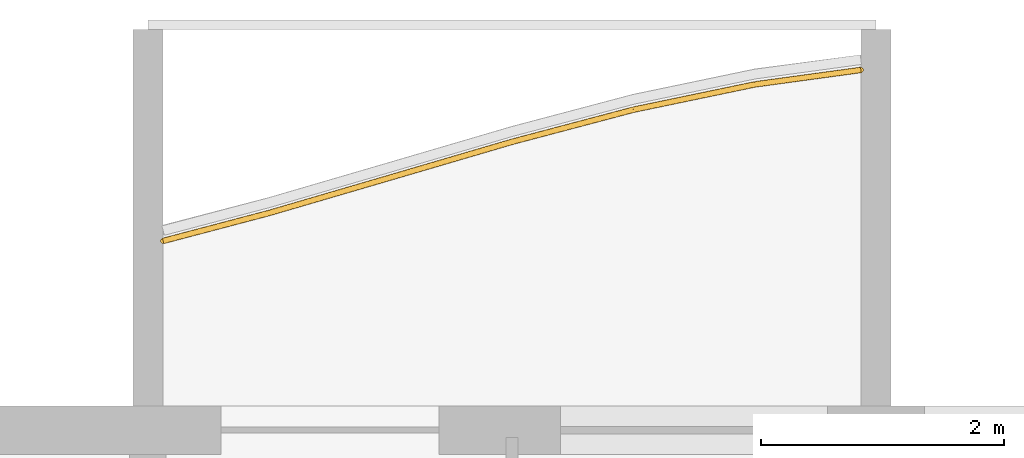
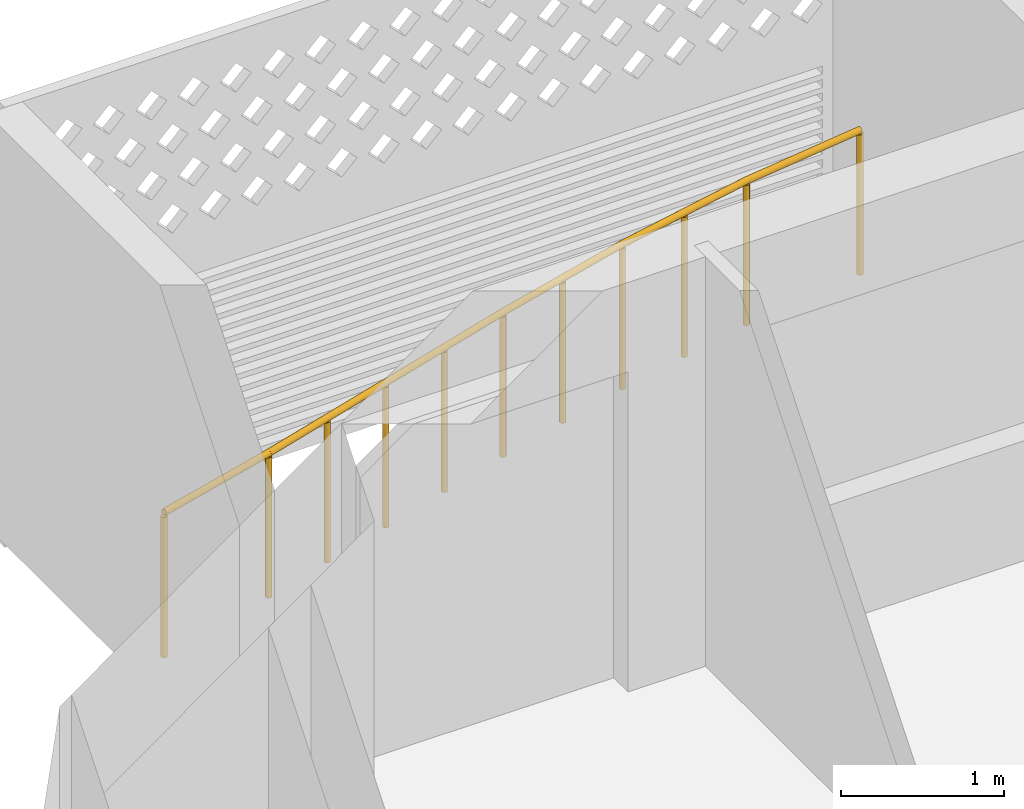
# One storey, part 18 of 33: 1 railing.
"""IFC4 building model written with IfcOpenShell, lengths in metres."""

from ifc_helpers import new_model, si_unit, direction, frame, origin, origin_2d, place, context, subcontext, project, spatial, circle, extrude, material, type_object, element, save


model = new_model("IFC4")

# Units and contexts
model_context = context("Model", 3, precision=1e-05, world=origin(), true_north=direction((0.0, 1.0)))
body_context = subcontext(model_context, "Body", "Model", "MODEL_VIEW")
ifc_project = project(units=[si_unit("LENGTHUNIT", "METRE"), si_unit("AREAUNIT", "SQUARE_METRE"), si_unit("VOLUMEUNIT", "CUBIC_METRE"), si_unit("PLANEANGLEUNIT", "RADIAN"), si_unit("MASSUNIT", "GRAM", prefix="KILO")], contexts=[model_context])

# Site, building, storey
site_placement = place(None, origin())
site = spatial("IfcSite", under=ifc_project, at=site_placement, CompositionType="ELEMENT")
building_placement = place(site_placement, origin())
building = spatial("IfcBuilding", under=site, at=building_placement, Name="Poui Terraces", CompositionType="ELEMENT")
storey_placement = place(building_placement, frame((0.0, 0.0, 138.89990234375)))
storey = spatial("IfcBuildingStorey", under=building, at=storey_placement, Name="L38", CompositionType="ELEMENT", Elevation=138.89990234375)

# Railing
ifc_material = material(Name="Painted steel fretwork", Category="steel")
railing_type = type_object("IfcRailingType", Name="BALCONY GUARD 1100", PredefinedType="GUARDRAIL", material=ifc_material)
railing_placement = place(storey_placement, frame((18.125, 43.95947265625, 0.0)))
element("IfcRailing", 1, at=railing_placement, inside=storey, type_object=railing_type, Name="BALCONY GUARD", PredefinedType="GUARDRAIL", context=body_context, shape_type="SweptSolid", body=[
    extrude(circle(Radius=0.02392578125, at=origin_2d()), frame((0.0, 0.0, 1.076171875), z_axis=(0.966952108313, 0.254958075434, 0.0), x_axis=(-0.254958075434, 0.966952108313, 0.0)), (0.0, 0.0, 1.0), 0.90478515625),
    extrude(circle(Radius=0.02392578125, at=origin_2d()), frame((0.875, 0.230712890625, 1.076171875), z_axis=(0.959789776105, 0.280719763617, 0.0), x_axis=(-0.280719763617, 0.959789776105, 0.0)), (0.0, 0.0, 1.0), 1.0419921875),
    extrude(circle(Radius=0.02392578125, at=origin_2d()), frame((1.875, 0.523193359375, 1.076171875), z_axis=(0.959536917318, 0.281582855131, 0.0), x_axis=(-0.281582855131, 0.959536917318, 0.0)), (0.0, 0.0, 1.0), 1.042236328125),
    extrude(circle(Radius=0.02392578125, at=origin_2d()), frame((2.875, 0.816650390625, 1.076171875), z_axis=(0.966718963822, 0.255840663277, 0.0), x_axis=(-0.255840663277, 0.966718963822, 0.0)), (0.0, 0.0, 1.0), 1.034423828125),
    extrude(circle(Radius=0.02392578125, at=origin_2d()), frame((3.875, 1.081298828125, 1.076171875), z_axis=(0.978996324432, 0.203877896665, 0.0), x_axis=(-0.203877896665, 0.978996324432, 0.0)), (0.0, 0.0, 1.0), 1.021484375),
    extrude(circle(Radius=0.02392578125, at=origin_2d()), frame((4.875, 1.28955078125, 1.076171875), z_axis=(0.990820071533, 0.135187225162, 0.0), x_axis=(-0.135187225162, 0.990820071533, 0.0)), (0.0, 0.0, 1.0), 0.883056640625),
    extrude(circle(Radius=0.02099609375, at=origin_2d()), origin(), (0.0, 0.0, 1.0), 1.052001953125),
    extrude(circle(Radius=0.02099609375, at=origin_2d()), frame((0.875, 0.230712890625, 0.0)), (0.0, 0.0, 1.0), 1.052001953125),
    extrude(circle(Radius=0.02099609375, at=origin_2d()), frame((1.375, 0.376953125, 0.0)), (0.0, 0.0, 1.0), 1.052001953125),
    extrude(circle(Radius=0.02099609375, at=origin_2d()), frame((1.875, 0.523193359375, 0.0)), (0.0, 0.0, 1.0), 1.052001953125),
    extrude(circle(Radius=0.02099609375, at=origin_2d()), frame((2.375, 0.669921875, 0.0)), (0.0, 0.0, 1.0), 1.052001953125),
    extrude(circle(Radius=0.02099609375, at=origin_2d()), frame((2.875, 0.816650390625, 0.0)), (0.0, 0.0, 1.0), 1.052001953125),
    extrude(circle(Radius=0.02099609375, at=origin_2d()), frame((3.375, 0.948974609375, 0.0)), (0.0, 0.0, 1.0), 1.052001953125),
    extrude(circle(Radius=0.02099609375, at=origin_2d()), frame((3.875, 1.081298828125, 0.0)), (0.0, 0.0, 1.0), 1.052001953125),
    extrude(circle(Radius=0.02099609375, at=origin_2d()), frame((4.375, 1.185546875, 0.0)), (0.0, 0.0, 1.0), 1.052001953125),
    extrude(circle(Radius=0.02099609375, at=origin_2d()), frame((4.875, 1.28955078125, 0.0)), (0.0, 0.0, 1.0), 1.052001953125),
    extrude(circle(Radius=0.02099609375, at=origin_2d()), frame((5.75, 1.408935546875, 0.0)), (0.0, 0.0, 1.0), 1.052001953125),
])

save(model, "model.ifc")
